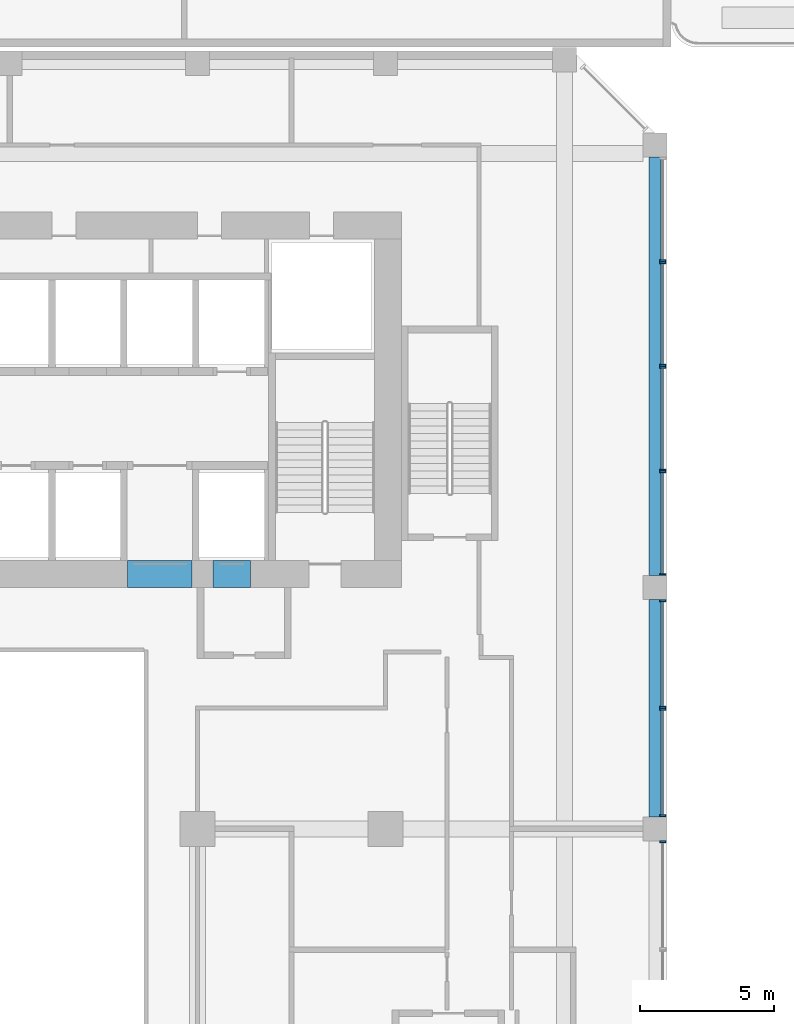
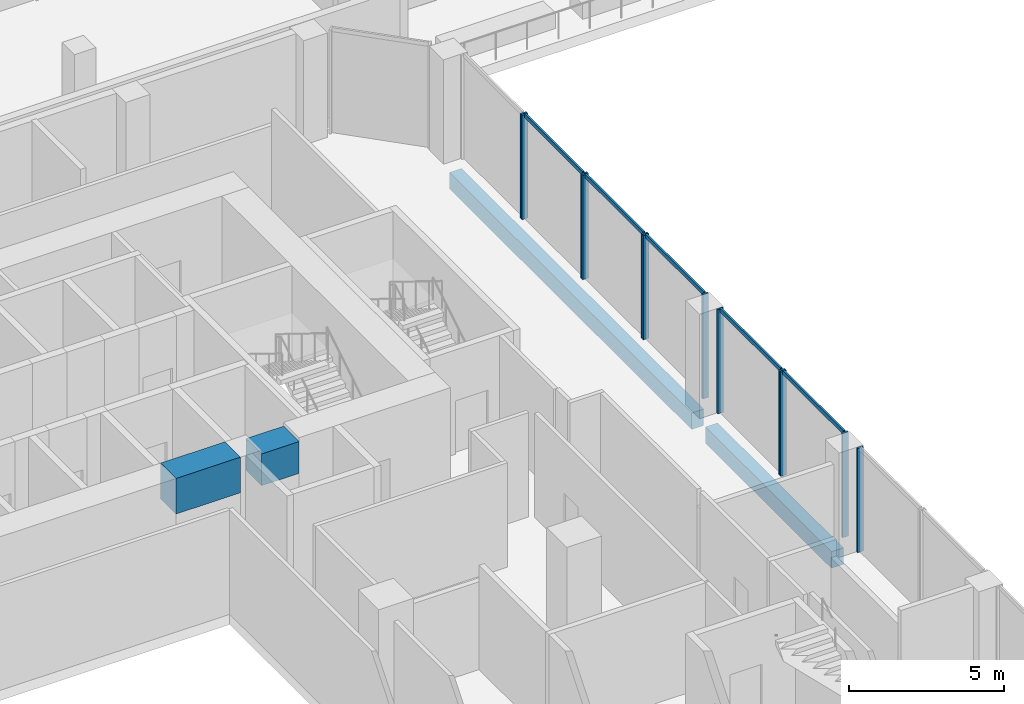
# One storey, part 7 of 35: 17 members, 4 beams, 7 elements without a shape of their own.
"""IFC4 building model written with IfcOpenShell, lengths in metres."""

import ifcopenshell
import ifcopenshell.guid

model = None  # the IFC model being written
_history = None  # IfcOwnerHistory: only IFC2X3 demands one
_inside = {}  # id of a spatial element -> (the spatial element, [elements in it])
_under = {}  # id of a project, library or spatial element -> (it, [spatial elements below it])
_declared = {}  # id of a project -> (the project, [libraries it declares])
_typed = {}  # id of a type object -> (the type object, [elements of that type])
_made_of = {}  # id of a material, layer set ... -> (it, [elements and type objects made of it])


def new_model(schema):
    """Start an empty IFC model of exactly this schema.

    Asked for "IFC4X3", IfcOpenShell would pick the latest addendum, in which some entities
    have other attributes; the version numbers below select the first issue.
    IFC2X3 requires an IfcOwnerHistory on every rooted entity: one is made here for all.
    """
    global model, _history
    if schema == "IFC4X3":
        model = ifcopenshell.file(schema_version=(4, 3, 0, 0))
    else:
        model = ifcopenshell.file(schema=schema)
    _inside.clear()
    _under.clear()
    _declared.clear()
    _typed.clear()
    _made_of.clear()
    _history = None
    if model.schema == "IFC2X3":
        org = make("IfcOrganization", Name="unknown")
        user = make(
            "IfcPersonAndOrganization",
            ThePerson=make("IfcPerson", FamilyName="unknown"),
            TheOrganization=org,
        )
        app = make(
            "IfcApplication",
            ApplicationDeveloper=org,
            Version="unknown",
            ApplicationFullName="unknown",
            ApplicationIdentifier="unknown",
        )
        _history = make(
            "IfcOwnerHistory",
            OwningUser=user,
            OwningApplication=app,
            ChangeAction="ADDED",
            CreationDate=0,
        )
    return model


def make(cls, **values):
    """One entity of the class cls with the attributes given. An attribute that is None is left unset."""
    return model.create_entity(
        cls, **{name: value for name, value in values.items() if value is not None}
    )


def rooted(cls, **values):
    """An entity with a GlobalId (a new one), such as an element, a storey or a relation."""
    return make(cls, GlobalId=ifcopenshell.guid.new(), OwnerHistory=_history, **values)


def si_unit(unit_type, name, prefix=None):
    """IfcSIUnit, for example si_unit("LENGTHUNIT", "METRE", prefix="MILLI")."""
    return make("IfcSIUnit", UnitType=unit_type, Prefix=prefix, Name=name)


def assignment(units):
    """IfcUnitAssignment: the units of a project."""
    return None if units is None else make("IfcUnitAssignment", Units=units)


def point(xyz):
    """IfcCartesianPoint."""
    return None if xyz is None else make("IfcCartesianPoint", Coordinates=xyz)


def direction(xyz):
    """IfcDirection."""
    return None if xyz is None else make("IfcDirection", DirectionRatios=xyz)


def frame(location, z_axis=None, x_axis=None):
    """IfcAxis2Placement3D, a coordinate frame: its origin and axes. An axis left out is left unset."""
    return make(
        "IfcAxis2Placement3D",
        Location=point(location),
        Axis=direction(z_axis),
        RefDirection=direction(x_axis),
    )


def frame_2d(location, x_axis=None):
    """IfcAxis2Placement2D, a coordinate frame in the plane: its origin and x axis."""
    return make(
        "IfcAxis2Placement2D", Location=point(location), RefDirection=direction(x_axis)
    )


def origin():
    """The frame at (0, 0, 0) with its axes left unset."""
    return frame((0.0, 0.0, 0.0))


def origin_2d():
    """The frame at (0, 0) in the plane with its x axis left unset."""
    return frame_2d((0.0, 0.0))


def place(relative_to, where):
    """IfcLocalPlacement: puts the frame where relative to a parent placement (None: the world)."""
    return make(
        "IfcLocalPlacement", PlacementRelTo=relative_to, RelativePlacement=where
    )


def context(
    kind, dimensions, precision=None, world=None, true_north=None, identifier=None
):
    """IfcGeometricRepresentationContext, for example the 3D "Model" context."""
    return make(
        "IfcGeometricRepresentationContext",
        ContextIdentifier=identifier,
        ContextType=kind,
        CoordinateSpaceDimension=dimensions,
        Precision=precision,
        WorldCoordinateSystem=world,
        TrueNorth=true_north,
    )


def subcontext(parent, identifier, kind, view, scale=None):
    """IfcGeometricRepresentationSubContext, for example "Body" below "Model"."""
    return make(
        "IfcGeometricRepresentationSubContext",
        ContextIdentifier=identifier,
        ContextType=kind,
        ParentContext=parent,
        TargetScale=scale,
        TargetView=view,
    )


def project(units=None, contexts=None):
    """IfcProject with its units and contexts."""
    return rooted(
        "IfcProject",
        Name="project",
        RepresentationContexts=contexts,
        UnitsInContext=assignment(units),
    )


def spatial(cls, under=None, at=None, **own):
    """A site, building, storey or space (cls), placed at a placement, below another one or the project."""
    s = rooted(cls, ObjectPlacement=at, **own)
    if under is not None:
        _under.setdefault(under.id(), (under, []))[1].append(s)
    return s


def profile(cls, at=None, kind="AREA", **sizes):
    """A parametric profile (cls). Its sizes go by their IFC names, for example OverallWidth=200.0."""
    return make(cls, ProfileType=kind, Position=at, **sizes)


def rectangle(**sizes):
    """IfcRectangleProfileDef."""
    return profile("IfcRectangleProfileDef", **sizes)


def extrude(swept, where, along, depth):
    """IfcExtrudedAreaSolid: the profile swept, set in the frame where, extruded along a direction by depth."""
    return make(
        "IfcExtrudedAreaSolid",
        SweptArea=swept,
        Position=where,
        ExtrudedDirection=direction(along),
        Depth=depth,
    )


def shape(context_of_items, identifier, shape_type, items):
    """IfcShapeRepresentation: the items that make up one representation, for example the "Body"."""
    return make(
        "IfcShapeRepresentation",
        ContextOfItems=context_of_items,
        RepresentationIdentifier=identifier,
        RepresentationType=shape_type,
        Items=items,
    )


def source(mapping_origin, context_of_items, identifier, shape_type, items):
    """IfcRepresentationMap: a shape defined once, which mapped items show again and again."""
    return make(
        "IfcRepresentationMap",
        MappingOrigin=mapping_origin,
        MappedRepresentation=shape(context_of_items, identifier, shape_type, items),
    )


def transform(
    local_origin,
    x_axis=None,
    y_axis=None,
    z_axis=None,
    scale=None,
    scale2=None,
    scale3=None,
    uniform=True,
):
    """IfcCartesianTransformationOperator3D, or its non-uniform kind. x_axis, y_axis, z_axis: its Axis1, 2, 3."""
    if uniform:
        return make(
            "IfcCartesianTransformationOperator3D",
            Axis1=direction(x_axis),
            Axis2=direction(y_axis),
            LocalOrigin=point(local_origin),
            Scale=scale,
            Axis3=direction(z_axis),
        )
    return make(
        "IfcCartesianTransformationOperator3DnonUniform",
        Axis1=direction(x_axis),
        Axis2=direction(y_axis),
        LocalOrigin=point(local_origin),
        Scale=scale,
        Axis3=direction(z_axis),
        Scale2=scale2,
        Scale3=scale3,
    )


def mapped(mapping_source, mapping_target):
    """IfcMappedItem: shows the shape of a source again, moved by a transform."""
    return make(
        "IfcMappedItem", MappingSource=mapping_source, MappingTarget=mapping_target
    )


def material(Name=None, Category=None):
    """IfcMaterial."""
    return make("IfcMaterial", Name=Name, Category=Category)


def material_profile(
    of_material, cross_section, Name=None, Category=None, Priority=None
):
    """IfcMaterialProfile: a cross section and its material."""
    return make(
        "IfcMaterialProfile",
        Name=Name,
        Material=of_material,
        Profile=cross_section,
        Priority=Priority,
        Category=Category,
    )


def profile_set(profiles, Name=None, composite=None):
    """IfcMaterialProfileSet."""
    return make(
        "IfcMaterialProfileSet",
        Name=Name,
        MaterialProfiles=profiles,
        CompositeProfile=composite,
    )


def made_of(thing, what):
    """Note that an element or type object is made of a material, layer set ...; save() writes the relation."""
    if what is not None:
        _made_of.setdefault(what.id(), (what, []))[1].append(thing)
    return thing


def type_object(cls, material=None, **own):
    """A type object (cls), such as IfcWallType, which elements share."""
    return made_of(rooted(cls, **own), material)


def element(
    cls,
    number,
    at=None,
    inside=None,
    cuts=None,
    type_object=None,
    material=None,
    context=None,
    identifier="Body",
    shape_type=None,
    held_by="IfcProductDefinitionShape",
    body=None,
    shapes=None,
    **own,
):
    """One element of the class cls, such as IfcWall. Its Tag is "e" and its number.

    at: its placement. inside: the storey or other place that contains it. cuts: it is an
    opening in that element (IfcRelVoidsElement). A single representation is given by context,
    identifier, shape_type and body (its items); several are given by shapes. held_by: the class
    of the entity that holds the representations. save() writes the other relations.
    """
    e = rooted(cls, Tag="e%d" % number, ObjectPlacement=at, **own)
    if body is not None:
        shapes = [shape(context, identifier, shape_type, body)]
    if shapes is not None:
        e.Representation = make(held_by, Representations=shapes)
    if inside is not None:
        _inside.setdefault(inside.id(), (inside, []))[1].append(e)
    if cuts is not None:
        rooted(
            "IfcRelVoidsElement", RelatingBuildingElement=cuts, RelatedOpeningElement=e
        )
    if type_object is not None:
        _typed.setdefault(type_object.id(), (type_object, []))[1].append(e)
    return made_of(e, material)


def aggregate(whole, parts):
    """IfcRelAggregates: a whole, such as a stair, and the parts it consists of."""
    return rooted("IfcRelAggregates", RelatingObject=whole, RelatedObjects=parts)


def save(model, path):
    """Write the relations noted so far, then the file.

    IfcRelAggregates (storeys below a building ...), IfcRelContainedInSpatialStructure (elements
    in a storey), IfcRelDefinesByType, IfcRelAssociatesMaterial and IfcRelDeclares: one each for
    every whole, place, type object, material and project.
    """
    for whole, parts in _under.values():
        aggregate(whole, parts)
    for where, things in _inside.values():
        rooted(
            "IfcRelContainedInSpatialStructure",
            RelatedElements=things,
            RelatingStructure=where,
        )
    for kind, things in _typed.values():
        rooted("IfcRelDefinesByType", RelatedObjects=things, RelatingType=kind)
    for what, things in _made_of.values():
        rooted("IfcRelAssociatesMaterial", RelatedObjects=things, RelatingMaterial=what)
    for by, libraries in _declared.values():
        rooted("IfcRelDeclares", RelatingContext=by, RelatedDefinitions=libraries)
    model.write(path)


model = new_model("IFC4")

# Units and contexts
model_context = context("Model", 3, precision=1e-05, world=origin(), true_north=direction((0.0, 1.0)))
body_context = subcontext(model_context, "Body", "Model", "MODEL_VIEW")
ifc_project = project(units=[si_unit("LENGTHUNIT", "METRE"), si_unit("AREAUNIT", "SQUARE_METRE"), si_unit("VOLUMEUNIT", "CUBIC_METRE"), si_unit("PLANEANGLEUNIT", "RADIAN"), si_unit("MASSUNIT", "GRAM", prefix="KILO")], contexts=[model_context])

# Site, building, storey
site_placement = place(None, origin())
site = spatial("IfcSite", under=ifc_project, at=site_placement, CompositionType="ELEMENT")
building_placement = place(site_placement, origin())
building = spatial("IfcBuilding", under=site, at=building_placement, Name="Kilnfold Tower and Market Hall", CompositionType="ELEMENT")
storey_placement = place(building_placement, frame((0.0, 0.0, 13.5)))
storey = spatial("IfcBuildingStorey", under=building, at=storey_placement, Name="L02", CompositionType="ELEMENT", Elevation=13.5)

# Beams
ifc_material_1 = material(Name="Concrete C80", Category="concrete")
ifc_material_profile_1 = material_profile(ifc_material_1, rectangle(XDim=1.0, YDim=1.25, at=origin_2d()), Name="RC 1000x1250")
ifc_profile_set_1 = profile_set([ifc_material_profile_1], Name="Concrete C80")
beam_type_1 = type_object("IfcBeamType", Name="COUPLING BEAM 1000X1250 C80", PredefinedType="BEAM", material=ifc_profile_set_1)
shared_shape_1 = source(origin(), body_context, "Body", "SweptSolid", [
    extrude(rectangle(XDim=1.0, YDim=1.25, at=origin_2d()), origin(), (0.0, 0.0, 1.0), 1.39990234375),
])
beam_1_placement = place(storey_placement, frame((11.070068359375, 8.5, 3.324951171875), z_axis=(1.0, 0.0, 0.0), x_axis=(0.0, 1.0, 0.0)))
element("IfcBeam", 1, at=beam_1_placement, inside=storey, type_object=beam_type_1, Name="Coupling beam CB1250-80-CORE.46", PredefinedType="BEAM", context=body_context, shape_type="MappedRepresentation", body=[
    mapped(shared_shape_1, transform((0.0, 0.0, 0.0))),
])
ifc_material_2 = material(Name="Concrete C80", Category="concrete")
ifc_material_profile_2 = material_profile(ifc_material_2, rectangle(XDim=1.0, YDim=1.39990234375, at=origin_2d()), Name="RC 1000x1400")
ifc_profile_set_2 = profile_set([ifc_material_profile_2], Name="Concrete C80")
beam_type_2 = type_object("IfcBeamType", Name="COUPLING BEAM 1000X1400 C80", PredefinedType="BEAM", material=ifc_profile_set_2)
shared_shape_2 = source(origin(), body_context, "Body", "SweptSolid", [
    extrude(rectangle(XDim=1.0, YDim=1.39990234375, at=origin_2d()), origin(), (0.0, 0.0, 1.0), 2.400146484375),
])
beam_2_placement = place(storey_placement, frame((7.889892578125, 8.5, 3.39990234375), z_axis=(1.0, 0.0, 0.0), x_axis=(0.0, 1.0, 0.0)))
element("IfcBeam", 2, at=beam_2_placement, inside=storey, type_object=beam_type_2, Name="Coupling beam CB1400-80-CORE.45", PredefinedType="BEAM", context=body_context, shape_type="MappedRepresentation", body=[
    mapped(shared_shape_2, transform((0.0, 0.0, 0.0))),
])
ifc_material_3 = material(Name="Concrete C45", Category="concrete")
ifc_material_profile_3 = material_profile(ifc_material_3, rectangle(XDim=0.449951171875, YDim=0.64990234375, at=origin_2d()), Name="RC 450x650")
ifc_profile_set_3 = profile_set([ifc_material_profile_3], Name="Concrete C45")
beam_type_3 = type_object("IfcBeamType", Name="EDGE BEAM 450X650 C45", PredefinedType="BEAM", material=ifc_profile_set_3)
shared_shape_3 = source(origin(), body_context, "Body", "SweptSolid", [
    extrude(rectangle(XDim=0.449951171875, YDim=0.64990234375, at=origin_2d()), origin(), (0.0, 0.0, 1.0), 8.10009765625),
])
beam_3_placement = place(storey_placement, frame((27.550048828125, -0.550048828125, -0.72509765625), z_axis=(0.0, 1.0, 0.0), x_axis=(-1.0, 0.0, 0.0)))
element("IfcBeam", 3, at=beam_3_placement, inside=storey, type_object=beam_type_3, Name="Beam EB650-B1.53", PredefinedType="BEAM", context=body_context, shape_type="MappedRepresentation", body=[
    mapped(shared_shape_3, transform((0.0, 0.0, 0.0))),
])
shared_shape_4 = source(origin(), body_context, "Body", "SweptSolid", [
    extrude(rectangle(XDim=0.449951171875, YDim=0.64990234375, at=origin_2d()), origin(), (0.0, 0.0, 1.0), 15.60009765625),
])
beam_4_placement = place(storey_placement, frame((27.550048828125, 8.449951171875, -0.72509765625), z_axis=(0.0, 1.0, 0.0), x_axis=(-1.0, 0.0, 0.0)))
element("IfcBeam", 4, at=beam_4_placement, inside=storey, type_object=beam_type_3, Name="Beam EB650-B1.59", PredefinedType="BEAM", context=body_context, shape_type="MappedRepresentation", body=[
    mapped(shared_shape_4, transform((0.0, 0.0, 0.0))),
])

# Curtain wall, member
ifc_material_4 = material(Name="Aluminium and double glazing", Category="aluminium")
curtain_wall_type = type_object("IfcCurtainWallType", Name="CW BASE PODIUM GLAZING", PredefinedType="NOTDEFINED", material=ifc_material_4)
curtain_wall_1_placement = place(storey_placement, origin())
curtain_wall_1 = element("IfcCurtainWall", 5, at=curtain_wall_1_placement, inside=storey, type_object=curtain_wall_type, Name="Curtain wall CW4 L02 E", PredefinedType="NOTDEFINED")
ifc_material_5 = material(Name="Aluminium", Category="aluminium")
ifc_material_profile_4 = material_profile(ifc_material_5, rectangle(XDim=0.070068359375, YDim=0.219970703125, at=origin_2d()), Name="MULLION 70x220")
ifc_profile_set_4 = profile_set([ifc_material_profile_4], Name="Aluminium")
member_type_1 = type_object("IfcMemberType", Name="MULLION 70X220", PredefinedType="MULLION", material=ifc_profile_set_4)
shared_shape_5 = source(origin(), body_context, "Body", "SweptSolid", [
    extrude(rectangle(XDim=0.070068359375, YDim=0.219970703125, at=origin_2d()), origin(), (0.0, 0.0, 1.0), 4.10009765625),
])
member_1_placement = place(storey_placement, frame((27.85009765625, -1.485107421875, 0.0), z_axis=(0.0, 0.0, 1.0), x_axis=(0.0, 1.0, 0.0)))
member_1 = element("IfcMember", 6, at=member_1_placement, type_object=member_type_1, Name="CW4 mullion 2", PredefinedType="MULLION", context=body_context, shape_type="MappedRepresentation", body=[
    mapped(shared_shape_5, transform((0.0, 0.0, 0.0))),
])
aggregate(curtain_wall_1, [member_1])

# Curtain wall, members
curtain_wall_2_placement = place(storey_placement, origin())
curtain_wall_2 = element("IfcCurtainWall", 7, at=curtain_wall_2_placement, inside=storey, type_object=curtain_wall_type, Name="Curtain wall CW4 L02 E", PredefinedType="NOTDEFINED")
member_2_placement = place(storey_placement, frame((27.85009765625, -0.514892578125, 0.0), z_axis=(0.0, 0.0, 1.0), x_axis=(0.0, 1.0, 0.0)))
member_2 = element("IfcMember", 8, at=member_2_placement, type_object=member_type_1, Name="CW4 mullion 1", PredefinedType="MULLION", context=body_context, shape_type="MappedRepresentation", body=[
    mapped(shared_shape_5, transform((0.0, 0.0, 0.0))),
])
member_3_placement = place(storey_placement, frame((27.85009765625, 3.465087890625, 0.0), z_axis=(0.0, 0.0, 1.0), x_axis=(0.0, 1.0, 0.0)))
member_3 = element("IfcMember", 9, at=member_3_placement, type_object=member_type_1, Name="CW4 mullion 2", PredefinedType="MULLION", context=body_context, shape_type="MappedRepresentation", body=[
    mapped(shared_shape_5, transform((0.0, 0.0, 0.0))),
])

curtain_wall_3_placement = place(storey_placement, origin())
curtain_wall_3 = element("IfcCurtainWall", 10, at=curtain_wall_3_placement, inside=storey, type_object=curtain_wall_type, Name="Curtain wall CW4 L02 E", PredefinedType="NOTDEFINED")
member_4_placement = place(storey_placement, frame((27.85009765625, 3.534912109375, 0.0), z_axis=(0.0, 0.0, 1.0), x_axis=(0.0, 1.0, 0.0)))
member_4 = element("IfcMember", 11, at=member_4_placement, type_object=member_type_1, Name="CW4 mullion 1", PredefinedType="MULLION", context=body_context, shape_type="MappedRepresentation", body=[
    mapped(shared_shape_5, transform((0.0, 0.0, 0.0))),
])
member_5_placement = place(storey_placement, frame((27.85009765625, 7.514892578125, 0.0), z_axis=(0.0, 0.0, 1.0), x_axis=(0.0, 1.0, 0.0)))
member_5 = element("IfcMember", 12, at=member_5_placement, type_object=member_type_1, Name="CW4 mullion 2", PredefinedType="MULLION", context=body_context, shape_type="MappedRepresentation", body=[
    mapped(shared_shape_5, transform((0.0, 0.0, 0.0))),
])

curtain_wall_4_placement = place(storey_placement, origin())
curtain_wall_4 = element("IfcCurtainWall", 13, at=curtain_wall_4_placement, inside=storey, type_object=curtain_wall_type, Name="Curtain wall CW4 L02 E", PredefinedType="NOTDEFINED")
member_6_placement = place(storey_placement, frame((27.85009765625, 8.485107421875, 0.0), z_axis=(0.0, 0.0, 1.0), x_axis=(0.0, 1.0, 0.0)))
member_6 = element("IfcMember", 14, at=member_6_placement, type_object=member_type_1, Name="CW4 mullion 1", PredefinedType="MULLION", context=body_context, shape_type="MappedRepresentation", body=[
    mapped(shared_shape_5, transform((0.0, 0.0, 0.0))),
])
member_7_placement = place(storey_placement, frame((27.85009765625, 12.31494140625, 0.0), z_axis=(0.0, 0.0, 1.0), x_axis=(0.0, 1.0, 0.0)))
member_7 = element("IfcMember", 15, at=member_7_placement, type_object=member_type_1, Name="CW4 mullion 2", PredefinedType="MULLION", context=body_context, shape_type="MappedRepresentation", body=[
    mapped(shared_shape_5, transform((0.0, 0.0, 0.0))),
])

curtain_wall_5_placement = place(storey_placement, origin())
curtain_wall_5 = element("IfcCurtainWall", 16, at=curtain_wall_5_placement, inside=storey, type_object=curtain_wall_type, Name="Curtain wall CW4 L02 E", PredefinedType="NOTDEFINED")
member_8_placement = place(storey_placement, frame((27.85009765625, 12.385009765625, 0.0), z_axis=(0.0, 0.0, 1.0), x_axis=(0.0, 1.0, 0.0)))
member_8 = element("IfcMember", 17, at=member_8_placement, type_object=member_type_1, Name="CW4 mullion 1", PredefinedType="MULLION", context=body_context, shape_type="MappedRepresentation", body=[
    mapped(shared_shape_5, transform((0.0, 0.0, 0.0))),
])
member_9_placement = place(storey_placement, frame((27.85009765625, 16.215087890625, 0.0), z_axis=(0.0, 0.0, 1.0), x_axis=(0.0, 1.0, 0.0)))
member_9 = element("IfcMember", 18, at=member_9_placement, type_object=member_type_1, Name="CW4 mullion 2", PredefinedType="MULLION", context=body_context, shape_type="MappedRepresentation", body=[
    mapped(shared_shape_5, transform((0.0, 0.0, 0.0))),
])

curtain_wall_6_placement = place(storey_placement, origin())
curtain_wall_6 = element("IfcCurtainWall", 19, at=curtain_wall_6_placement, inside=storey, type_object=curtain_wall_type, Name="Curtain wall CW4 L02 E", PredefinedType="NOTDEFINED")
member_10_placement = place(storey_placement, frame((27.85009765625, 16.284912109375, 0.0), z_axis=(0.0, 0.0, 1.0), x_axis=(0.0, 1.0, 0.0)))
member_10 = element("IfcMember", 20, at=member_10_placement, type_object=member_type_1, Name="CW4 mullion 1", PredefinedType="MULLION", context=body_context, shape_type="MappedRepresentation", body=[
    mapped(shared_shape_5, transform((0.0, 0.0, 0.0))),
])
member_11_placement = place(storey_placement, frame((27.85009765625, 20.114990234375, 0.0), z_axis=(0.0, 0.0, 1.0), x_axis=(0.0, 1.0, 0.0)))
member_11 = element("IfcMember", 21, at=member_11_placement, type_object=member_type_1, Name="CW4 mullion 2", PredefinedType="MULLION", context=body_context, shape_type="MappedRepresentation", body=[
    mapped(shared_shape_5, transform((0.0, 0.0, 0.0))),
])

# Curtain wall, member
curtain_wall_7_placement = place(storey_placement, origin())
curtain_wall_7 = element("IfcCurtainWall", 22, at=curtain_wall_7_placement, inside=storey, type_object=curtain_wall_type, Name="Curtain wall CW4 L02 E", PredefinedType="NOTDEFINED")
member_12_placement = place(storey_placement, frame((27.85009765625, 20.18505859375, 0.0), z_axis=(0.0, 0.0, 1.0), x_axis=(0.0, 1.0, 0.0)))
member_12 = element("IfcMember", 23, at=member_12_placement, type_object=member_type_1, Name="CW4 mullion 1", PredefinedType="MULLION", context=body_context, shape_type="MappedRepresentation", body=[
    mapped(shared_shape_5, transform((0.0, 0.0, 0.0))),
])
aggregate(curtain_wall_7, [member_12])

# Member
ifc_material_6 = material(Name="Aluminium", Category="aluminium")
ifc_material_profile_5 = material_profile(ifc_material_6, rectangle(XDim=0.070068359375, YDim=0.159912109375, at=origin_2d()), Name="TRANSOM 70x160")
ifc_profile_set_5 = profile_set([ifc_material_profile_5], Name="Aluminium")
member_type_2 = type_object("IfcMemberType", Name="TRANSOM 70X160", PredefinedType="USERDEFINED", material=ifc_profile_set_5)
shared_shape_6 = source(origin(), body_context, "Body", "SweptSolid", [
    extrude(rectangle(XDim=0.070068359375, YDim=0.159912109375, at=origin_2d()), origin(), (0.0, 0.0, 1.0), 3.909912109375),
])
member_13_placement = place(storey_placement, frame((27.85009765625, -0.47998046875, 4.06494140625), z_axis=(0.0, 1.0, 0.0), x_axis=(-1.0, 0.0, 0.0)))
member_13 = element("IfcMember", 24, at=member_13_placement, type_object=member_type_2, Name="CW4 transom 1.2", ObjectType="TRANSOM", PredefinedType="USERDEFINED", context=body_context, shape_type="MappedRepresentation", body=[
    mapped(shared_shape_6, transform((0.0, 0.0, 0.0))),
])

aggregate(curtain_wall_2, [member_2, member_3, member_13])

member_14_placement = place(storey_placement, frame((27.85009765625, 3.570068359375, 4.06494140625), z_axis=(0.0, 1.0, 0.0), x_axis=(-1.0, 0.0, 0.0)))
member_14 = element("IfcMember", 25, at=member_14_placement, type_object=member_type_2, Name="CW4 transom 1.2", ObjectType="TRANSOM", PredefinedType="USERDEFINED", context=body_context, shape_type="MappedRepresentation", body=[
    mapped(shared_shape_6, transform((0.0, 0.0, 0.0))),
])

aggregate(curtain_wall_3, [member_4, member_5, member_14])

shared_shape_7 = source(origin(), body_context, "Body", "SweptSolid", [
    extrude(rectangle(XDim=0.070068359375, YDim=0.159912109375, at=origin_2d()), origin(), (0.0, 0.0, 1.0), 3.760009765625),
])
member_15_placement = place(storey_placement, frame((27.85009765625, 8.52001953125, 4.06494140625), z_axis=(0.0, 1.0, 0.0), x_axis=(-1.0, 0.0, 0.0)))
member_15 = element("IfcMember", 26, at=member_15_placement, type_object=member_type_2, Name="CW4 transom 1.2", ObjectType="TRANSOM", PredefinedType="USERDEFINED", context=body_context, shape_type="MappedRepresentation", body=[
    mapped(shared_shape_7, transform((0.0, 0.0, 0.0))),
])

aggregate(curtain_wall_4, [member_6, member_7, member_15])

member_16_placement = place(storey_placement, frame((27.85009765625, 12.419921875, 4.06494140625), z_axis=(0.0, 1.0, 0.0), x_axis=(-1.0, 0.0, 0.0)))
member_16 = element("IfcMember", 27, at=member_16_placement, type_object=member_type_2, Name="CW4 transom 1.2", ObjectType="TRANSOM", PredefinedType="USERDEFINED", context=body_context, shape_type="MappedRepresentation", body=[
    mapped(shared_shape_7, transform((0.0, 0.0, 0.0))),
])

aggregate(curtain_wall_5, [member_8, member_9, member_16])

member_17_placement = place(storey_placement, frame((27.85009765625, 16.320068359375, 4.06494140625), z_axis=(0.0, 1.0, 0.0), x_axis=(-1.0, 0.0, 0.0)))
member_17 = element("IfcMember", 28, at=member_17_placement, type_object=member_type_2, Name="CW4 transom 1.2", ObjectType="TRANSOM", PredefinedType="USERDEFINED", context=body_context, shape_type="MappedRepresentation", body=[
    mapped(shared_shape_7, transform((0.0, 0.0, 0.0))),
])

aggregate(curtain_wall_6, [member_10, member_11, member_17])

save(model, "model.ifc")
